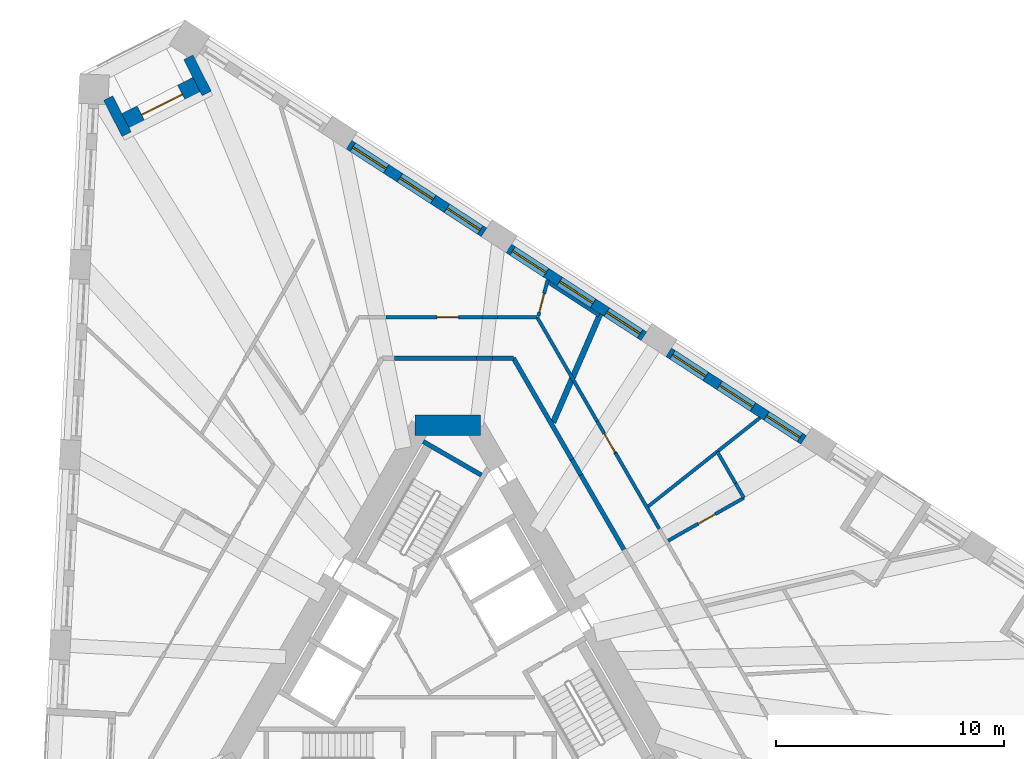
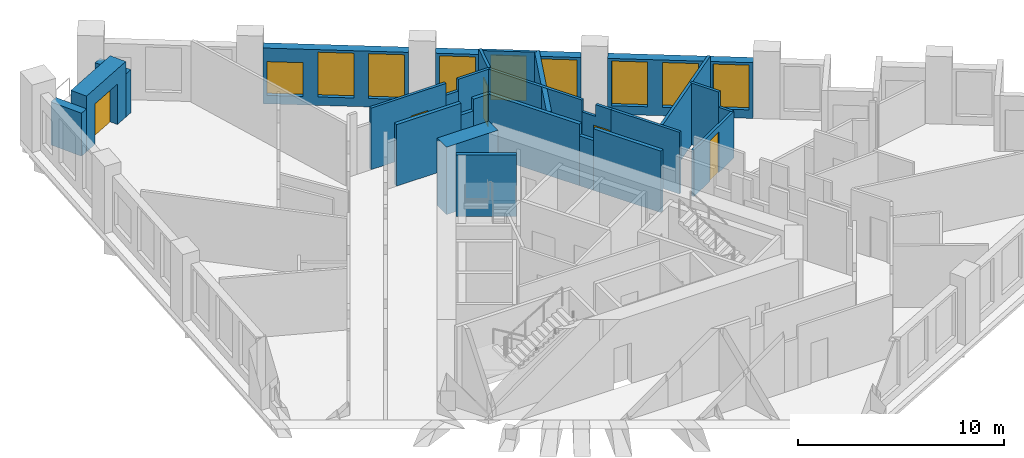
# One storey, part 8 of 13: 27 walls, 9 windows, 5 doors, 14 openings.
"""IFC4 building model written with IfcOpenShell, lengths in metres."""

from ifc_helpers import new_model, si_unit, direction, frame, frame_2d, origin, place, context, subcontext, project, spatial, polyline, rectangle, outline, extrude, material, layer, layer_set, type_object, element, fill, save


model = new_model("IFC4")

# Units and contexts
model_context = context("Model", 3, precision=1e-05, world=origin(), true_north=direction((0.0, 1.0)))
body_context = subcontext(model_context, "Body", "Model", "MODEL_VIEW")
ifc_project = project(units=[si_unit("LENGTHUNIT", "METRE"), si_unit("AREAUNIT", "SQUARE_METRE"), si_unit("VOLUMEUNIT", "CUBIC_METRE"), si_unit("PLANEANGLEUNIT", "RADIAN"), si_unit("MASSUNIT", "GRAM", prefix="KILO")], contexts=[model_context])

# Site, building, storey
site_placement = place(None, origin())
site = spatial("IfcSite", under=ifc_project, at=site_placement, CompositionType="ELEMENT")
building_placement = place(site_placement, origin())
building = spatial("IfcBuilding", under=site, at=building_placement, Name="Tramontana Tower", CompositionType="ELEMENT")
storey_placement = place(building_placement, frame((0.0, 0.0, 137.60009765625)))
storey = spatial("IfcBuildingStorey", under=building, at=storey_placement, Name="L31", CompositionType="ELEMENT", Elevation=137.60009765625)

# Walls
ifc_material_1 = material(Name="Concrete 70 MPa", Category="concrete")
ifc_layer_1 = layer(ifc_material_1, 0.89990234375)
ifc_layer_set_1 = layer_set([ifc_layer_1], Name="Core wall 900 70 MPa")
wall_type_1 = type_object("IfcWallType", Name="Core wall 900 70 MPa", PredefinedType="SHEAR", material=ifc_layer_set_1)
wall_1_placement = place(storey_placement, frame((1.443359375, 10.550048828125, 0.0), z_axis=(0.0, 0.0, 1.0), x_axis=(-1.0, 0.0, 0.0)))
element("IfcWall", 1, at=wall_1_placement, inside=storey, type_object=wall_type_1, Name="Core wall C0 L31", PredefinedType="SHEAR", context=body_context, shape_type="SweptSolid", body=[
    extrude(rectangle(XDim=2.88671875, YDim=0.89990234375, at=frame_2d((1.443359375, 0.0))), origin(), (0.0, 0.0, 1.0), 4.0),
])
ifc_material_2 = material(Name="Blockwork", Category="masonry")
ifc_layer_2 = layer(ifc_material_2, 0.199951171875)
ifc_layer_set_2 = layer_set([ifc_layer_2], Name="ENTRY WALL 200")
wall_type_2 = type_object("IfcWallType", Name="ENTRY WALL 200", PredefinedType="SOLIDWALL", material=ifc_layer_set_2)
wall_2_placement = place(storey_placement, frame((2.88671875, 13.5, 0.0), z_axis=(0.0, 0.0, 1.0), x_axis=(0.50000466804, -0.866022708674, 0.0)))
element("IfcWall", 2, at=wall_2_placement, inside=storey, type_object=wall_type_2, Name="Wall v31-ew0-0", PredefinedType="SOLIDWALL", context=body_context, shape_type="SweptSolid", body=[
    extrude(rectangle(XDim=5.14208984375, YDim=0.199951171875, at=frame_2d((2.571044921875, 0.0))), origin(), (0.0, 0.0, 1.0), 3.64990234375),
])
wall_3_placement = place(storey_placement, frame((5.457763671875, 9.046875, 0.0), z_axis=(0.0, 0.0, 1.0), x_axis=(0.499982474044, -0.866035522163, 0.0)))
element("IfcWall", 3, at=wall_3_placement, inside=storey, type_object=wall_type_2, Name="Wall v31-ew0-1", PredefinedType="SOLIDWALL", context=body_context, shape_type="SweptSolid", body=[
    extrude(rectangle(XDim=0.78564453125, YDim=0.199951171875, at=frame_2d((0.392822265625, 0.0))), origin(), (0.0, 0.0, 1.0), 2.949951171875),
])
wall_4_placement = place(storey_placement, frame((5.8505859375, 8.366455078125, 0.0), z_axis=(0.0, 0.0, 1.0), x_axis=(0.499998034377, -0.866026538634, 0.0)))
element("IfcWall", 4, at=wall_4_placement, inside=storey, type_object=wall_type_2, Name="Wall v31-ew0-2", PredefinedType="SOLIDWALL", context=body_context, shape_type="SweptSolid", body=[
    extrude(rectangle(XDim=3.783203125, YDim=0.199951171875, at=frame_2d((1.8916015625, 0.0))), origin(), (0.0, 0.0, 1.0), 3.64990234375),
])
wall_5_placement = place(storey_placement, frame((-2.33349609375, 13.5, 0.0), z_axis=(0.0, 0.0, 1.0), x_axis=(1.0, 0.0, 0.0)))
element("IfcWall", 5, at=wall_5_placement, inside=storey, type_object=wall_type_2, Name="Wall v31-ew5-1", PredefinedType="SOLIDWALL", context=body_context, shape_type="SweptSolid", body=[
    extrude(rectangle(XDim=3.6025390625, YDim=0.199951171875, at=frame_2d((1.80126953125, 0.0))), origin(), (0.0, 0.0, 1.0), 3.64990234375),
])
wall_6_placement = place(storey_placement, frame((1.26904296875, 13.5, 0.0), z_axis=(0.0, 0.0, 1.0), x_axis=(1.0, 0.0, 0.0)))
element("IfcWall", 6, at=wall_6_placement, inside=storey, type_object=wall_type_2, Name="Wall v31-ew5-2", PredefinedType="SOLIDWALL", context=body_context, shape_type="SweptSolid", body=[
    extrude(rectangle(XDim=0.704833984375, YDim=0.199951171875, at=frame_2d((0.3525390625, 0.0))), origin(), (0.0, 0.0, 1.0), 2.949951171875),
])
wall_7_placement = place(storey_placement, frame((1.973876953125, 13.5, 0.0), z_axis=(0.0, 0.0, 1.0), x_axis=(1.0, 0.0, 0.0)))
element("IfcWall", 7, at=wall_7_placement, inside=storey, type_object=wall_type_2, Name="Wall v31-ew5-3", PredefinedType="SOLIDWALL", context=body_context, shape_type="SweptSolid", body=[
    extrude(rectangle(XDim=0.912841796875, YDim=0.199951171875, at=frame_2d((0.45654296875, 0.0))), origin(), (0.0, 0.0, 1.0), 3.64990234375),
])

# Wall, openings, windows
ifc_material_3 = material(Name="Precast concrete 60 MPa", Category="concrete")
ifc_layer_3 = layer(ifc_material_3, 0.449951171875)
ifc_layer_set_3 = layer_set([ifc_layer_3], Name="Precast concrete 60 MPa, 450 mm")
wall_type_3 = type_object("IfcWallType", Name="EW1 Stone-faced precast wall 450", PredefinedType="SOLIDWALL", material=ifc_layer_set_3)
wall_8_placement = place(storey_placement, frame((15.639404296875, 9.9052734375, 0.0), z_axis=(0.0, 0.0, 1.0), x_axis=(-0.838677021821, 0.54462909679, 0.0)))
wall_8 = element("IfcWall", 8, at=wall_8_placement, inside=storey, type_object=wall_type_3, Name="External wall L31 face 2 bay 3", PredefinedType="SOLIDWALL", context=body_context, shape_type="SweptSolid", body=[
    extrude(rectangle(XDim=7.071533203125, YDim=0.449951171875, at=frame_2d((3.53564453125, 0.0))), origin(), (0.0, 0.0, 1.0), 3.2998046875),
])
opening_1_placement = place(wall_8_placement, frame((0.1953125, 0.0, 0.5)))
opening_1 = element("IfcOpeningElement", 9, at=opening_1_placement, cuts=wall_8, Name="Opening M2", PredefinedType="OPENING", context=body_context, shape_type="SweptSolid", body=[
    extrude(rectangle(XDim=1.75, YDim=2.64990234375, at=frame_2d((0.875, 1.324951171875))), frame((0.0, 0.23486328125, 0.0), z_axis=(0.0, -1.0, 0.0), x_axis=(1.0, 0.0, 0.0)), (0.0, 0.0, 1.0), 0.469970703125),
])
opening_2_placement = place(wall_8_placement, frame((2.660888671875, 0.0, 0.5)))
opening_2 = element("IfcOpeningElement", 10, at=opening_2_placement, cuts=wall_8, Name="Opening M2", PredefinedType="OPENING", context=body_context, shape_type="SweptSolid", body=[
    extrude(rectangle(XDim=1.75, YDim=2.64990234375, at=frame_2d((0.875, 1.324951171875))), frame((0.0, 0.23486328125, 0.0), z_axis=(0.0, -1.0, 0.0), x_axis=(1.0, 0.0, 0.0)), (0.0, 0.0, 1.0), 0.469970703125),
])
opening_3_placement = place(wall_8_placement, frame((5.126220703125, 0.0, 0.5)))
opening_3 = element("IfcOpeningElement", 11, at=opening_3_placement, cuts=wall_8, Name="Opening M2", PredefinedType="OPENING", context=body_context, shape_type="SweptSolid", body=[
    extrude(rectangle(XDim=1.75, YDim=2.64990234375, at=frame_2d((0.875, 1.324951171875))), frame((0.0, 0.23486328125, 0.0), z_axis=(0.0, -1.0, 0.0), x_axis=(1.0, 0.0, 0.0)), (0.0, 0.0, 1.0), 0.469970703125),
])
ifc_material_4 = material(Name="Aluminum frame, double glazing unit", Category="aluminium")
window_type_1 = type_object("IfcWindowType", Name="M2 Window 1.75 x 2.65", PartitioningType="SINGLE_PANEL", PredefinedType="WINDOW", material=ifc_material_4)
window_1_placement = place(opening_1_placement, origin())
window_1 = element("IfcWindow", 12, at=window_1_placement, inside=storey, type_object=window_type_1, Name="Window M2 L31 face 2 module 7", OverallHeight=2.64990234375, OverallWidth=1.75, PartitioningType="SINGLE_PANEL", PredefinedType="WINDOW", context=body_context, shape_type="SweptSolid", body=[
    extrude(rectangle(XDim=1.75, YDim=2.64990234375, at=frame_2d((0.875, 1.324951171875))), frame((0.0, 0.030029296875, 0.0), z_axis=(0.0, -1.0, 0.0), x_axis=(1.0, 0.0, 0.0)), (0.0, 0.0, 1.0), 0.06005859375),
])
fill(opening_1, window_1)
window_2_placement = place(opening_2_placement, origin())
window_2 = element("IfcWindow", 13, at=window_2_placement, inside=storey, type_object=window_type_1, Name="Window M2 L31 face 2 module 8", OverallHeight=2.64990234375, OverallWidth=1.75, PartitioningType="SINGLE_PANEL", PredefinedType="WINDOW", context=body_context, shape_type="SweptSolid", body=[
    extrude(rectangle(XDim=1.75, YDim=2.64990234375, at=frame_2d((0.875, 1.324951171875))), frame((0.0, 0.030029296875, 0.0), z_axis=(0.0, -1.0, 0.0), x_axis=(1.0, 0.0, 0.0)), (0.0, 0.0, 1.0), 0.06005859375),
])
fill(opening_2, window_2)
window_3_placement = place(opening_3_placement, origin())
window_3 = element("IfcWindow", 14, at=window_3_placement, inside=storey, type_object=window_type_1, Name="Window M2 L31 face 2 module 9", OverallHeight=2.64990234375, OverallWidth=1.75, PartitioningType="SINGLE_PANEL", PredefinedType="WINDOW", context=body_context, shape_type="SweptSolid", body=[
    extrude(rectangle(XDim=1.75, YDim=2.64990234375, at=frame_2d((0.875, 1.324951171875))), frame((0.0, 0.030029296875, 0.0), z_axis=(0.0, -1.0, 0.0), x_axis=(1.0, 0.0, 0.0)), (0.0, 0.0, 1.0), 0.06005859375),
])
fill(opening_3, window_3)

wall_9_placement = place(storey_placement, frame((8.618408203125, 14.464599609375, 0.0), z_axis=(0.0, 0.0, 1.0), x_axis=(-0.838661251934, 0.544653380146, 0.0)))
wall_9 = element("IfcWall", 15, at=wall_9_placement, inside=storey, type_object=wall_type_3, Name="External wall L31 face 2 bay 4", PredefinedType="SOLIDWALL", context=body_context, shape_type="SweptSolid", body=[
    extrude(rectangle(XDim=7.071533203125, YDim=0.449951171875, at=frame_2d((3.53564453125, 0.0))), origin(), (0.0, 0.0, 1.0), 3.2998046875),
])
opening_4_placement = place(wall_9_placement, frame((0.1953125, 0.0, 0.5)))
opening_4 = element("IfcOpeningElement", 16, at=opening_4_placement, cuts=wall_9, Name="Opening M2", PredefinedType="OPENING", context=body_context, shape_type="SweptSolid", body=[
    extrude(rectangle(XDim=1.75, YDim=2.64990234375, at=frame_2d((0.875, 1.324951171875))), frame((0.0, 0.23486328125, 0.0), z_axis=(0.0, -1.0, 0.0), x_axis=(1.0, 0.0, 0.0)), (0.0, 0.0, 1.0), 0.469970703125),
])
opening_5_placement = place(wall_9_placement, frame((2.660888671875, 0.0, 0.5)))
opening_5 = element("IfcOpeningElement", 17, at=opening_5_placement, cuts=wall_9, Name="Opening M2", PredefinedType="OPENING", context=body_context, shape_type="SweptSolid", body=[
    extrude(rectangle(XDim=1.75, YDim=2.64990234375, at=frame_2d((0.875, 1.324951171875))), frame((0.0, 0.23486328125, 0.0), z_axis=(0.0, -1.0, 0.0), x_axis=(1.0, 0.0, 0.0)), (0.0, 0.0, 1.0), 0.469970703125),
])
opening_6_placement = place(wall_9_placement, frame((5.126220703125, 0.0, 0.5)))
opening_6 = element("IfcOpeningElement", 18, at=opening_6_placement, cuts=wall_9, Name="Opening M2", PredefinedType="OPENING", context=body_context, shape_type="SweptSolid", body=[
    extrude(rectangle(XDim=1.75, YDim=2.64990234375, at=frame_2d((0.875, 1.324951171875))), frame((0.0, 0.23486328125, 0.0), z_axis=(0.0, -1.0, 0.0), x_axis=(1.0, 0.0, 0.0)), (0.0, 0.0, 1.0), 0.469970703125),
])
window_4_placement = place(opening_4_placement, origin())
window_4 = element("IfcWindow", 19, at=window_4_placement, inside=storey, type_object=window_type_1, Name="Window M2 L31 face 2 module 10", OverallHeight=2.64990234375, OverallWidth=1.75, PartitioningType="SINGLE_PANEL", PredefinedType="WINDOW", context=body_context, shape_type="SweptSolid", body=[
    extrude(rectangle(XDim=1.75, YDim=2.64990234375, at=frame_2d((0.875, 1.324951171875))), frame((0.0, 0.030029296875, 0.0), z_axis=(0.0, -1.0, 0.0), x_axis=(1.0, 0.0, 0.0)), (0.0, 0.0, 1.0), 0.06005859375),
])
fill(opening_4, window_4)
window_5_placement = place(opening_5_placement, origin())
window_5 = element("IfcWindow", 20, at=window_5_placement, inside=storey, type_object=window_type_1, Name="Window M2 L31 face 2 module 11", OverallHeight=2.64990234375, OverallWidth=1.75, PartitioningType="SINGLE_PANEL", PredefinedType="WINDOW", context=body_context, shape_type="SweptSolid", body=[
    extrude(rectangle(XDim=1.75, YDim=2.64990234375, at=frame_2d((0.875, 1.324951171875))), frame((0.0, 0.030029296875, 0.0), z_axis=(0.0, -1.0, 0.0), x_axis=(1.0, 0.0, 0.0)), (0.0, 0.0, 1.0), 0.06005859375),
])
fill(opening_5, window_5)
window_6_placement = place(opening_6_placement, origin())
window_6 = element("IfcWindow", 21, at=window_6_placement, inside=storey, type_object=window_type_1, Name="Window M2 L31 face 2 module 12", OverallHeight=2.64990234375, OverallWidth=1.75, PartitioningType="SINGLE_PANEL", PredefinedType="WINDOW", context=body_context, shape_type="SweptSolid", body=[
    extrude(rectangle(XDim=1.75, YDim=2.64990234375, at=frame_2d((0.875, 1.324951171875))), frame((0.0, 0.030029296875, 0.0), z_axis=(0.0, -1.0, 0.0), x_axis=(1.0, 0.0, 0.0)), (0.0, 0.0, 1.0), 0.06005859375),
])
fill(opening_6, window_6)

wall_10_placement = place(storey_placement, frame((1.597412109375, 19.024169921875, 0.0), z_axis=(0.0, 0.0, 1.0), x_axis=(-0.838677021821, 0.54462909679, 0.0)))
wall_10 = element("IfcWall", 22, at=wall_10_placement, inside=storey, type_object=wall_type_3, Name="External wall L31 face 2 bay 5", PredefinedType="SOLIDWALL", context=body_context, shape_type="SweptSolid", body=[
    extrude(rectangle(XDim=7.071533203125, YDim=0.449951171875, at=frame_2d((3.53564453125, 0.0))), origin(), (0.0, 0.0, 1.0), 3.2998046875),
])
opening_7_placement = place(wall_10_placement, frame((0.1953125, 0.0, 0.5)))
opening_7 = element("IfcOpeningElement", 23, at=opening_7_placement, cuts=wall_10, Name="Opening M2", PredefinedType="OPENING", context=body_context, shape_type="SweptSolid", body=[
    extrude(rectangle(XDim=1.75, YDim=2.64990234375, at=frame_2d((0.875, 1.324951171875))), frame((0.0, 0.23486328125, 0.0), z_axis=(0.0, -1.0, 0.0), x_axis=(1.0, 0.0, 0.0)), (0.0, 0.0, 1.0), 0.469970703125),
])
opening_8_placement = place(wall_10_placement, frame((2.660888671875, 0.0, 0.5)))
opening_8 = element("IfcOpeningElement", 24, at=opening_8_placement, cuts=wall_10, Name="Opening M2", PredefinedType="OPENING", context=body_context, shape_type="SweptSolid", body=[
    extrude(rectangle(XDim=1.75, YDim=2.64990234375, at=frame_2d((0.875, 1.324951171875))), frame((0.0, 0.23486328125, 0.0), z_axis=(0.0, -1.0, 0.0), x_axis=(1.0, 0.0, 0.0)), (0.0, 0.0, 1.0), 0.469970703125),
])
opening_9_placement = place(wall_10_placement, frame((5.126220703125, 0.0, 0.5)))
opening_9 = element("IfcOpeningElement", 25, at=opening_9_placement, cuts=wall_10, Name="Opening M2L", PredefinedType="OPENING", context=body_context, shape_type="SweptSolid", body=[
    extrude(rectangle(XDim=1.75, YDim=2.0, at=frame_2d((0.875, 1.0))), frame((0.0, 0.23486328125, 0.0), z_axis=(0.0, -1.0, 0.0), x_axis=(1.0, 0.0, 0.0)), (0.0, 0.0, 1.0), 0.469970703125),
])
window_7_placement = place(opening_7_placement, origin())
window_7 = element("IfcWindow", 26, at=window_7_placement, inside=storey, type_object=window_type_1, Name="Window M2 L31 face 2 module 13", OverallHeight=2.64990234375, OverallWidth=1.75, PartitioningType="SINGLE_PANEL", PredefinedType="WINDOW", context=body_context, shape_type="SweptSolid", body=[
    extrude(rectangle(XDim=1.75, YDim=2.64990234375, at=frame_2d((0.875, 1.324951171875))), frame((0.0, 0.030029296875, 0.0), z_axis=(0.0, -1.0, 0.0), x_axis=(1.0, 0.0, 0.0)), (0.0, 0.0, 1.0), 0.06005859375),
])
fill(opening_7, window_7)
window_8_placement = place(opening_8_placement, origin())
window_8 = element("IfcWindow", 27, at=window_8_placement, inside=storey, type_object=window_type_1, Name="Window M2 L31 face 2 module 14", OverallHeight=2.64990234375, OverallWidth=1.75, PartitioningType="SINGLE_PANEL", PredefinedType="WINDOW", context=body_context, shape_type="SweptSolid", body=[
    extrude(rectangle(XDim=1.75, YDim=2.64990234375, at=frame_2d((0.875, 1.324951171875))), frame((0.0, 0.030029296875, 0.0), z_axis=(0.0, -1.0, 0.0), x_axis=(1.0, 0.0, 0.0)), (0.0, 0.0, 1.0), 0.06005859375),
])
fill(opening_8, window_8)
ifc_material_5 = material(Name="Aluminum frame, double glazing unit", Category="aluminium")
window_type_2 = type_object("IfcWindowType", Name="M2L Window 1.75 x 2", PartitioningType="SINGLE_PANEL", PredefinedType="WINDOW", material=ifc_material_5)
window_9_placement = place(opening_9_placement, origin())
window_9 = element("IfcWindow", 28, at=window_9_placement, inside=storey, type_object=window_type_2, Name="Window M2L L31 face 2 module 15", OverallHeight=2.0, OverallWidth=1.75, PartitioningType="SINGLE_PANEL", PredefinedType="WINDOW", context=body_context, shape_type="SweptSolid", body=[
    extrude(rectangle(XDim=1.75, YDim=2.0, at=frame_2d((0.875, 1.0))), frame((0.0, 0.030029296875, 0.0), z_axis=(0.0, -1.0, 0.0), x_axis=(1.0, 0.0, 0.0)), (0.0, 0.0, 1.0), 0.06005859375),
])
fill(opening_9, window_9)

# Walls
for number, where, z_axis, x_axis, name in (
    (29, (-14.916015625, 24.924072265625, 0.0), (0.0, 0.0, 1.0), (0.453952505513, -0.891025882193, 0.0), "Corner loggia side wall L31 K30l"),
    (30, (-11.396484375, 26.71728515625, 0.0), (0.0, 0.0, 1.0), (0.453952505513, -0.891025882193, 0.0), "Corner loggia side wall L31 K30r"),
):
    element("IfcWall", number, at=place(storey_placement, frame(where, z_axis=z_axis, x_axis=x_axis)), inside=storey, type_object=wall_type_3, Name=name, PredefinedType="SOLIDWALL", context=body_context, shape_type="SweptSolid", body=[
        extrude(rectangle(XDim=1.779052734375, YDim=0.449951171875, at=frame_2d((0.8896484375, 0.0))), origin(), (0.0, 0.0, 1.0), 2.5498046875),
    ])

# Wall, opening, door
ifc_material_6 = material(Name="Precast concrete 60 MPa", Category="concrete")
ifc_layer_4 = layer(ifc_material_6, 0.89990234375)
ifc_layer_set_4 = layer_set([ifc_layer_4], Name="EW2 Stone-faced corner loggia wall 900")
wall_type_4 = type_object("IfcWallType", Name="EW2 Stone-faced corner loggia wall 900", PredefinedType="SOLIDWALL", material=ifc_layer_set_4)
wall_11_placement = place(storey_placement, frame((-14.112060546875, 23.841796875, 0.0), z_axis=(0.0, 0.0, 1.0), x_axis=(0.890983062796, 0.454036542374, 0.0)))
wall_11 = element("IfcWall", 31, at=wall_11_placement, inside=storey, type_object=wall_type_4, Name="Corner loggia wall L31 K30", PredefinedType="SOLIDWALL", context=body_context, shape_type="SweptSolid", body=[
    extrude(rectangle(XDim=3.5, YDim=0.89990234375, at=frame_2d((1.75, 0.0))), origin(), (0.0, 0.0, 1.0), 3.2998046875),
])
opening_10_placement = place(wall_11_placement, frame((0.75, 0.0, 0.0)))
opening_10 = element("IfcOpeningElement", 32, at=opening_10_placement, cuts=wall_11, Name="Opening BD-30C", PredefinedType="OPENING", context=body_context, shape_type="SweptSolid", body=[
    extrude(rectangle(XDim=2.0, YDim=2.39990234375, at=frame_2d((1.0, 1.199951171875))), frame((0.0, 0.4599609375, 0.0), z_axis=(0.0, -1.0, 0.0), x_axis=(1.0, 0.0, 0.0)), (0.0, 0.0, 1.0), 0.919921875),
])
ifc_material_7 = material(Name="Aluminum frame, double glazing unit", Category="aluminium")
door_type_1 = type_object("IfcDoorType", Name="BC1 Sliding door 2 x 2.4", OperationType="SLIDING_TO_LEFT", PredefinedType="DOOR", material=ifc_material_7)
door_1_placement = place(opening_10_placement, origin())
door_1 = element("IfcDoor", 33, at=door_1_placement, inside=storey, type_object=door_type_1, Name="Corner loggia door L31 K30", OperationType="SLIDING_TO_LEFT", OverallHeight=2.39990234375, OverallWidth=2.0, PredefinedType="DOOR", context=body_context, shape_type="SweptSolid", body=[
    extrude(rectangle(XDim=2.0, YDim=2.39990234375, at=frame_2d((1.0, 1.199951171875))), frame((0.0, 0.02490234375, 0.0), z_axis=(0.0, -1.0, 0.0), x_axis=(1.0, 0.0, 0.0)), (0.0, 0.0, 1.0), 0.050048828125),
])
fill(opening_10, door_1)

ifc_material_8 = material(Name="Gypsum board partition")
ifc_layer_5 = layer(ifc_material_8, 0.14990234375)
ifc_layer_set_5 = layer_set([ifc_layer_5], Name="PARTITION 150")
wall_type_5 = type_object("IfcWallType", Name="PARTITION 150", PredefinedType="PARTITIONING", material=ifc_layer_set_5)
wall_12_placement = place(storey_placement, frame((-2.711669921875, 15.300048828125, 0.0), z_axis=(0.0, 0.0, 1.0), x_axis=(1.0, 0.0, 0.0)))
wall_12 = element("IfcWall", 34, at=wall_12_placement, inside=storey, type_object=wall_type_5, Name="Wall v31-pw22-2", PredefinedType="PARTITIONING", context=body_context, shape_type="SweptSolid", body=[
    extrude(rectangle(XDim=4.20947265625, YDim=0.14990234375, at=frame_2d((2.104736328125, 0.0))), origin(), (0.0, 0.0, 1.0), 3.64990234375),
])
opening_11_placement = place(wall_12_placement, frame((2.23681640625, 0.0, 0.0)))
opening_11 = element("IfcOpeningElement", 35, at=opening_11_placement, cuts=wall_12, Name="Opening B3B-04", PredefinedType="OPENING", context=body_context, shape_type="SweptSolid", body=[
    extrude(rectangle(XDim=0.949951171875, YDim=2.39990234375, at=frame_2d((0.47509765625, 1.199951171875))), frame((0.0, 0.0849609375, 0.0), z_axis=(0.0, -1.0, 0.0), x_axis=(1.0, 0.0, 0.0)), (0.0, 0.0, 1.0), 0.169921875),
])
ifc_material_9 = material(Name="Painted timber", Category="wood")
door_type_2 = type_object("IfcDoorType", Name="DOOR ROOM 950", OperationType="SINGLE_SWING_LEFT", PredefinedType="DOOR", material=ifc_material_9)
door_2_placement = place(opening_11_placement, origin())
door_2 = element("IfcDoor", 36, at=door_2_placement, inside=storey, type_object=door_type_2, Name="Door B3B-04", OperationType="SINGLE_SWING_RIGHT", OverallHeight=2.39990234375, OverallWidth=0.949951171875, PredefinedType="DOOR", context=body_context, shape_type="SweptSolid", body=[
    extrude(rectangle(XDim=0.949951171875, YDim=2.39990234375, at=frame_2d((0.47509765625, 1.199951171875))), frame((0.0, 0.02490234375, 0.0), z_axis=(0.0, -1.0, 0.0), x_axis=(1.0, 0.0, 0.0)), (0.0, 0.0, 1.0), 0.050048828125),
])
fill(opening_11, door_2)

# Walls
wall_13_placement = place(storey_placement, frame((1.497802734375, 15.300048828125, 0.0), z_axis=(0.0, 0.0, 1.0), x_axis=(1.0, 0.0, 0.0)))
element("IfcWall", 37, at=wall_13_placement, inside=storey, type_object=wall_type_5, Name="Wall v31-pw22-3", PredefinedType="PARTITIONING", context=body_context, shape_type="SweptSolid", body=[
    extrude(rectangle(XDim=0.6796875, YDim=0.14990234375, at=frame_2d((0.33984375, 0.0))), origin(), (0.0, 0.0, 1.0), 2.949951171875),
])
wall_14_placement = place(storey_placement, frame((2.177490234375, 15.300048828125, 0.0), z_axis=(0.0, 0.0, 1.0), x_axis=(1.0, 0.0, 0.0)))
element("IfcWall", 38, at=wall_14_placement, inside=storey, type_object=wall_type_5, Name="Wall v31-pw22-4", PredefinedType="PARTITIONING", context=body_context, shape_type="SweptSolid", body=[
    extrude(rectangle(XDim=1.748291015625, YDim=0.14990234375, at=frame_2d((0.8740234375, 0.0))), origin(), (0.0, 0.0, 1.0), 3.64990234375),
])
wall_15_placement = place(storey_placement, frame((3.926025390625, 15.300048828125, 0.0), z_axis=(0.0, 0.0, 1.0), x_axis=(0.499974706519, -0.86604000649, 0.0)))
element("IfcWall", 39, at=wall_15_placement, inside=storey, type_object=wall_type_5, Name="Wall v31-pw29-0", PredefinedType="PARTITIONING", context=body_context, shape_type="SweptSolid", body=[
    extrude(rectangle(XDim=5.278076171875, YDim=0.14990234375, at=frame_2d((2.63916015625, 0.0))), origin(), (0.0, 0.0, 1.0), 3.64990234375),
])

# Wall, opening, door
wall_16_placement = place(storey_placement, frame((6.56494140625, 10.72900390625, 0.0), z_axis=(0.0, 0.0, 1.0), x_axis=(0.500004488726, -0.866022812202, 0.0)))
wall_16 = element("IfcWall", 40, at=wall_16_placement, inside=storey, type_object=wall_type_5, Name="Wall v31-pw29-1", PredefinedType="PARTITIONING", context=body_context, shape_type="SweptSolid", body=[
    extrude(outline(polyline([(0.0, 0.0), (1.62353515625, 0.0), (1.623291015625, 3.64990234375), (0.757568359375, 3.64990234375), (0.757568359375, 2.949951171875), (0.0, 2.949951171875), (0.0, 0.0)])), frame((0.0, 0.074951171875, 0.0), z_axis=(0.0, -1.0, 0.0), x_axis=(1.0, 0.0, 0.0)), (0.0, 0.0, 1.0), 0.14990234375),
])
opening_12_placement = place(wall_16_placement, frame((0.623291015625, 0.0, 0.0)))
opening_12 = element("IfcOpeningElement", 41, at=opening_12_placement, cuts=wall_16, Name="Opening B3B-22", PredefinedType="OPENING", context=body_context, shape_type="SweptSolid", body=[
    extrude(rectangle(XDim=0.949951171875, YDim=2.39990234375, at=frame_2d((0.47509765625, 1.199951171875))), frame((0.0, 0.0849609375, 0.0), z_axis=(0.0, -1.0, 0.0), x_axis=(1.0, 0.0, 0.0)), (0.0, 0.0, 1.0), 0.169921875),
])
door_3_placement = place(opening_12_placement, origin())
door_3 = element("IfcDoor", 42, at=door_3_placement, inside=storey, type_object=door_type_2, Name="Door B3B-22", OperationType="SINGLE_SWING_RIGHT", OverallHeight=2.39990234375, OverallWidth=0.949951171875, PredefinedType="DOOR", context=body_context, shape_type="SweptSolid", body=[
    extrude(rectangle(XDim=0.949951171875, YDim=2.39990234375, at=frame_2d((0.47509765625, 1.199951171875))), frame((0.0, 0.02490234375, 0.0), z_axis=(0.0, -1.0, 0.0), x_axis=(1.0, 0.0, 0.0)), (0.0, 0.0, 1.0), 0.050048828125),
])
fill(opening_12, door_3)

# Wall
wall_17_placement = place(storey_placement, frame((7.376708984375, 9.322998046875, 0.0), z_axis=(0.0, 0.0, 1.0), x_axis=(0.500021918639, -0.866012748683, 0.0)))
element("IfcWall", 43, at=wall_17_placement, inside=storey, type_object=wall_type_5, Name="Wall v31-pw29-2", PredefinedType="PARTITIONING", context=body_context, shape_type="SweptSolid", body=[
    extrude(rectangle(XDim=3.834228515625, YDim=0.14990234375, at=frame_2d((1.9169921875, 0.0))), origin(), (0.0, 0.0, 1.0), 3.64990234375),
])

# Wall, opening, door
wall_18_placement = place(storey_placement, frame((4.3935546875, 16.93994140625, 0.0), z_axis=(0.0, 0.0, 1.0), x_axis=(-0.25107585542, -0.967967414134, 0.0)))
wall_18 = element("IfcWall", 44, at=wall_18_placement, inside=storey, type_object=wall_type_5, Name="Wall v31-pw30", PredefinedType="PARTITIONING", context=body_context, shape_type="SweptSolid", body=[
    extrude(rectangle(XDim=1.639404296875, YDim=0.14990234375, at=frame_2d((0.81982421875, 0.0))), origin(), (0.0, 0.0, 1.0), 3.64990234375),
])
opening_13_placement = place(wall_18_placement, frame((0.619384765625, 0.0, 0.0)))
opening_13 = element("IfcOpeningElement", 45, at=opening_13_placement, cuts=wall_18, Name="Opening B3B-07", PredefinedType="OPENING", context=body_context, shape_type="SweptSolid", body=[
    extrude(rectangle(XDim=0.85009765625, YDim=2.39990234375, at=frame_2d((0.425048828125, 1.199951171875))), frame((0.0, 0.0849609375, 0.0), z_axis=(0.0, -1.0, 0.0), x_axis=(1.0, 0.0, 0.0)), (0.0, 0.0, 1.0), 0.169921875),
])
ifc_material_10 = material(Name="Painted timber", Category="wood")
door_type_3 = type_object("IfcDoorType", Name="DOOR BATH 850", OperationType="SINGLE_SWING_LEFT", PredefinedType="DOOR", material=ifc_material_10)
door_4_placement = place(opening_13_placement, origin())
door_4 = element("IfcDoor", 46, at=door_4_placement, inside=storey, type_object=door_type_3, Name="Door B3B-07", OperationType="SINGLE_SWING_LEFT", OverallHeight=2.39990234375, OverallWidth=0.85009765625, PredefinedType="DOOR", context=body_context, shape_type="SweptSolid", body=[
    extrude(rectangle(XDim=0.85009765625, YDim=2.39990234375, at=frame_2d((0.425048828125, 1.199951171875))), frame((0.0, 0.02490234375, 0.0), z_axis=(0.0, -1.0, 0.0), x_axis=(1.0, 0.0, 0.0)), (0.0, 0.0, 1.0), 0.050048828125),
])
fill(opening_13, door_4)

# Walls
wall_19_placement = place(storey_placement, frame((4.34716796875, 16.86865234375, 0.0), z_axis=(0.0, 0.0, 1.0), x_axis=(0.838666585339, -0.544645167643, 0.0)))
element("IfcWall", 47, at=wall_19_placement, inside=storey, type_object=wall_type_5, Name="Wall v31-pw31", PredefinedType="PARTITIONING", context=body_context, shape_type="SweptSolid", body=[
    extrude(rectangle(XDim=2.7509765625, YDim=0.14990234375, at=frame_2d((1.37548828125, 0.0))), origin(), (0.0, 0.0, 1.0), 3.64990234375),
])
wall_20_placement = place(storey_placement, frame((8.8115234375, 6.988037109375, 0.0), z_axis=(0.0, 0.0, 1.0), x_axis=(0.783495717036, 0.621397184887, 0.0)))
element("IfcWall", 48, at=wall_20_placement, inside=storey, type_object=wall_type_5, Name="Wall v31-pw33", PredefinedType="PARTITIONING", context=body_context, shape_type="SweptSolid", body=[
    extrude(rectangle(XDim=6.26708984375, YDim=0.14990234375, at=frame_2d((3.133544921875, 0.0))), origin(), (0.0, 0.0, 1.0), 3.64990234375),
])
wall_21_placement = place(storey_placement, frame((11.842529296875, 9.38818359375, 0.0), z_axis=(0.0, 0.0, 1.0), x_axis=(0.499995408039, -0.866028054938, 0.0)))
element("IfcWall", 49, at=wall_21_placement, inside=storey, type_object=wall_type_5, Name="Wall v31-pw36-0", PredefinedType="PARTITIONING", context=body_context, shape_type="SweptSolid", body=[
    extrude(rectangle(XDim=1.60009765625, YDim=0.14990234375, at=frame_2d((0.800048828125, 0.0))), origin(), (0.0, 0.0, 1.0), 3.64990234375),
])
wall_22_placement = place(storey_placement, frame((12.642578125, 8.00244140625, 0.0), z_axis=(0.0, 0.0, 1.0), x_axis=(0.500008142102, -0.866020702889, 0.0)))
element("IfcWall", 50, at=wall_22_placement, inside=storey, type_object=wall_type_5, Name="Wall v31-pw36-1", PredefinedType="PARTITIONING", context=body_context, shape_type="SweptSolid", body=[
    extrude(rectangle(XDim=0.73974609375, YDim=0.14990234375, at=frame_2d((0.369873046875, 0.0))), origin(), (0.0, 0.0, 1.0), 2.75),
])

# Wall, opening, door
wall_23_placement = place(storey_placement, frame((9.68310546875, 5.478271484375, 0.0), z_axis=(0.0, 0.0, 1.0), x_axis=(0.870367823752, 0.492402123652, 0.0)))
wall_23 = element("IfcWall", 51, at=wall_23_placement, inside=storey, type_object=wall_type_5, Name="Wall v31-pw37-0", PredefinedType="PARTITIONING", context=body_context, shape_type="SweptSolid", body=[
    extrude(rectangle(XDim=3.8251953125, YDim=0.14990234375, at=frame_2d((1.91259765625, 0.0))), origin(), (0.0, 0.0, 1.0), 2.75),
])
opening_14_placement = place(wall_23_placement, frame((1.530029296875, 0.0, 0.0)))
opening_14 = element("IfcOpeningElement", 52, at=opening_14_placement, cuts=wall_23, Name="Opening B3B-24", PredefinedType="OPENING", context=body_context, shape_type="SweptSolid", body=[
    extrude(rectangle(XDim=0.85009765625, YDim=2.39990234375, at=frame_2d((0.425048828125, 1.199951171875))), frame((0.0, 0.0849609375, 0.0), z_axis=(0.0, -1.0, 0.0), x_axis=(1.0, 0.0, 0.0)), (0.0, 0.0, 1.0), 0.169921875),
])
door_5_placement = place(opening_14_placement, origin())
door_5 = element("IfcDoor", 53, at=door_5_placement, inside=storey, type_object=door_type_3, Name="Door B3B-24", OperationType="SINGLE_SWING_RIGHT", OverallHeight=2.39990234375, OverallWidth=0.85009765625, PredefinedType="DOOR", context=body_context, shape_type="SweptSolid", body=[
    extrude(rectangle(XDim=0.85009765625, YDim=2.39990234375, at=frame_2d((0.425048828125, 1.199951171875))), frame((0.0, 0.02490234375, 0.0), z_axis=(0.0, -1.0, 0.0), x_axis=(1.0, 0.0, 0.0)), (0.0, 0.0, 1.0), 0.050048828125),
])
fill(opening_14, door_5)

# Walls
ifc_material_11 = material(Name="Blockwork", Category="masonry")
ifc_layer_6 = layer(ifc_material_11, 0.25)
ifc_layer_set_6 = layer_set([ifc_layer_6], Name="PARTY WALL 250")
wall_type_6 = type_object("IfcWallType", Name="PARTY WALL 250", PredefinedType="SOLIDWALL", material=ifc_layer_set_6)
wall_24_placement = place(storey_placement, frame((6.70068359375, 15.441650390625, 0.0), z_axis=(0.0, 0.0, 1.0), x_axis=(-0.398055808136, -0.917361201277, 0.0)))
element("IfcWall", 54, at=wall_24_placement, inside=storey, type_object=wall_type_6, Name="Wall v31-pw32", PredefinedType="SOLIDWALL", context=body_context, shape_type="SweptSolid", body=[
    extrude(rectangle(XDim=5.19482421875, YDim=0.25, at=frame_2d((2.597412109375, 0.0))), origin(), (0.0, 0.0, 1.0), 3.64990234375),
])
ifc_material_12 = material(Name="Concrete 70 MPa", Category="concrete")
ifc_layer_7 = layer(ifc_material_12, 0.199951171875)
ifc_layer_set_7 = layer_set([ifc_layer_7], Name="Concrete 70 MPa, 200 mm")
wall_type_7 = type_object("IfcWallType", Name="RC STAIR AND SHAFT WALL 200", PredefinedType="SOLIDWALL", material=ifc_layer_set_7)
wall_25_placement = place(storey_placement, frame((1.478515625, 8.36083984375, 0.0), z_axis=(0.0, 0.0, 1.0), x_axis=(-0.866003658127, 0.500037662692, 0.0)))
element("IfcWall", 55, at=wall_25_placement, inside=storey, type_object=wall_type_7, Name="Wall st1-far", PredefinedType="SOLIDWALL", context=body_context, shape_type="SweptSolid", body=[
    extrude(rectangle(XDim=2.949951171875, YDim=0.199951171875, at=frame_2d((1.47509765625, 0.0))), origin(), (0.0, 0.0, 1.0), 3.64990234375),
])

save(model, "model.ifc")
